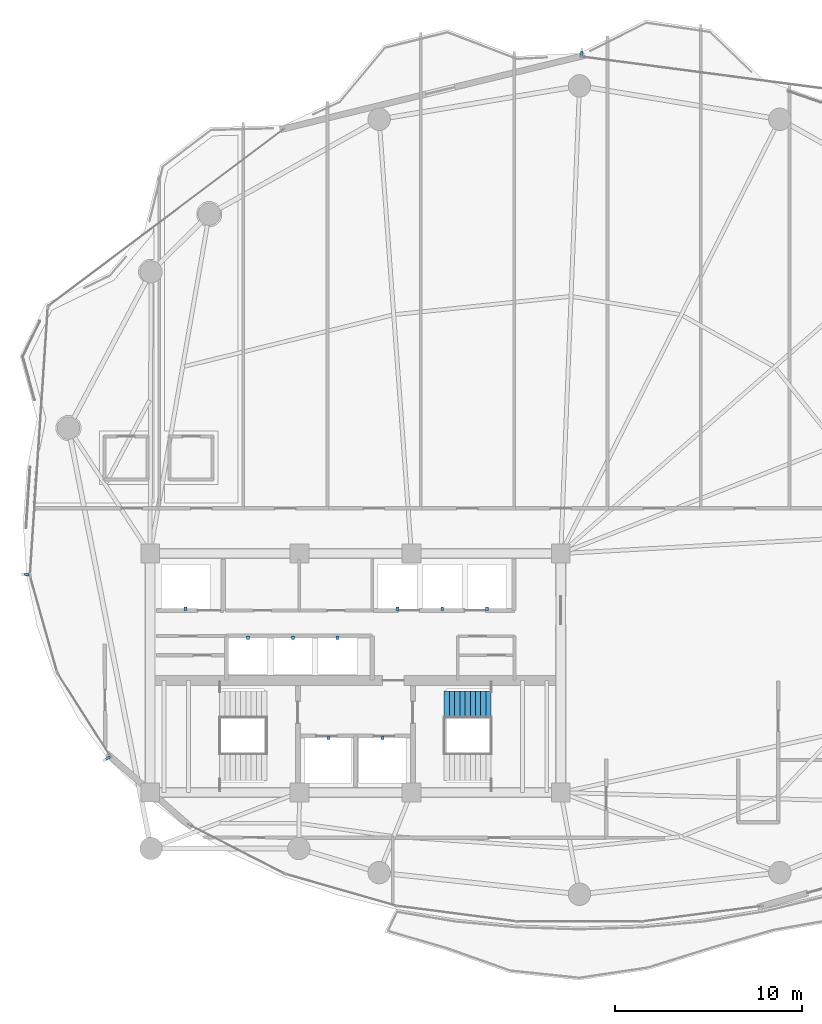
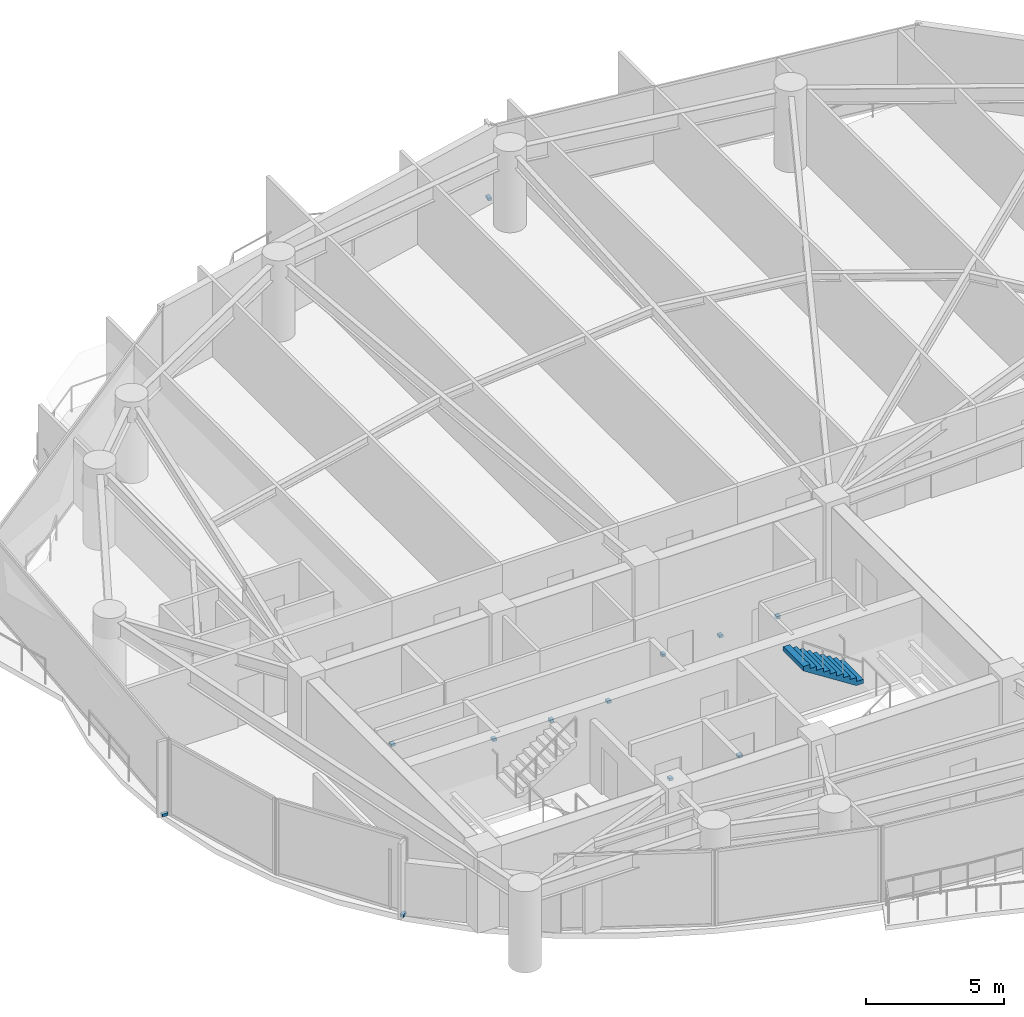
# One storey, part 27 of 30: 12 discrete accessories, 1 stair flight, 1 element without a shape of its own.
"""IFC4 building model written with IfcOpenShell, lengths in metres."""

from ifc_helpers import new_model, si_unit, direction, frame, origin, origin_2d, place, context, subcontext, project, spatial, polyline, rectangle, outline, extrude, material, layer, layer_set, type_object, element, aggregate, save


model = new_model("IFC4")

# Units and contexts
model_context = context("Model", 3, precision=1e-05, world=origin(), true_north=direction((0.0, 1.0)))
body_context = subcontext(model_context, "Body", "Model", "MODEL_VIEW")
ifc_project = project(units=[si_unit("LENGTHUNIT", "METRE"), si_unit("AREAUNIT", "SQUARE_METRE"), si_unit("VOLUMEUNIT", "CUBIC_METRE"), si_unit("PLANEANGLEUNIT", "RADIAN"), si_unit("MASSUNIT", "GRAM", prefix="KILO")], contexts=[model_context])

# Site, building, storey
site_placement = place(None, origin())
site = spatial("IfcSite", under=ifc_project, at=site_placement, CompositionType="ELEMENT")
building_placement = place(site_placement, origin())
building = spatial("IfcBuilding", under=site, at=building_placement, Name="Kazevale Care Tower and Concert Hall", CompositionType="ELEMENT")
storey_placement = place(building_placement, frame((0.0, 0.0, 131.39990234375)))
storey = spatial("IfcBuildingStorey", under=building, at=storey_placement, Name="L34", CompositionType="ELEMENT", Elevation=131.39990234375)

# Stair, stair flight
ifc_material_1 = material(Name="Concrete C40", Category="concrete")
stair_type = type_object("IfcStairType", Name="Exit Stair Assembly ST1-Z2", PredefinedType="HALF_TURN_STAIR", material=ifc_material_1)
stair_placement = place(storey_placement, origin())
stair = element("IfcStair", 1, at=stair_placement, inside=storey, type_object=stair_type, Name="stair:L34:ST2", PredefinedType="HALF_TURN_STAIR")
ifc_layer = layer(ifc_material_1, 0.159912109375)
ifc_layer_set = layer_set([ifc_layer], Name="Concrete C40")
stair_flight_type = type_object("IfcStairFlightType", Name="Exit Stair Flight ST1-Z2", PredefinedType="STRAIGHT", material=ifc_layer_set)
stair_flight_placement = place(storey_placement, frame((40.27001953125, 28.320068359375, 1.800048828125), z_axis=(0.0, 0.0, 1.0), x_axis=(-1.0, 0.0, 0.0)))
stair_flight = element("IfcStairFlight", 2, at=stair_flight_placement, type_object=stair_flight_type, Name="ST1-Z2 flight 2", NumberOfRisers=10, NumberOfTreads=9, PredefinedType="STRAIGHT", RiserHeight=0.18, TreadLength=0.28, context=body_context, shape_type="SweptSolid", body=[
    extrude(outline(polyline([(0.0, 0.0), (0.0, 0.179931640625), (0.280029296875, 0.179931640625), (0.280029296875, 0.360107421875), (0.56005859375, 0.360107421875), (0.56005859375, 0.5400390625), (0.840087890625, 0.5400390625), (0.840087890625, 0.719970703125), (1.1201171875, 0.719970703125), (1.1201171875, 0.89990234375), (1.39990234375, 0.89990234375), (1.39990234375, 1.080078125), (1.679931640625, 1.080078125), (1.679931640625, 1.260009765625), (1.9599609375, 1.260009765625), (1.9599609375, 1.43994140625), (2.239990234375, 1.43994140625), (2.239990234375, 1.6201171875), (2.52001953125, 1.6201171875), (2.52001953125, 1.800048828125), (2.52001953125, 1.429931640625), (0.295654296875, 0.0), (0.0, 0.0)])), frame((0.0, 0.72998046875, 0.0), z_axis=(0.0, -1.0, 0.0), x_axis=(1.0, 0.0, 0.0)), (0.0, 0.0, 1.0), 1.4599609375),
])
aggregate(stair, [stair_flight])

# Discrete accessories
ifc_material_2 = material(Name="Stainless Steel 316", Category="steel")
discrete_accessory_type_1 = type_object("IfcDiscreteAccessoryType", Name="Facade Fin Stainless Anchor Bracket BRK-1", PredefinedType="BRACKET", material=ifc_material_2)
for number, where, z_axis, x_axis, name in (
    (3, (19.739013671875, 25.4443359375, 0.0), (0.0, 0.0, 1.0), (-0.843391445813, -0.537299608347, 0.0), "cw:L34:f11:brk"),
    (4, (15.39892578125, 35.273193359375, 0.0), (0.0, 0.0, 1.0), (-0.997778273548, 0.066622194773, 0.0), "cw:L34:f13:brk"),
    (5, (45.1044921875, 63.1708984375, 0.0), (0.0, 0.0, 1.0), (0.130872263805, 0.991399238736, 0.0), "cw:L34:f16:brk"),
):
    element("IfcDiscreteAccessory", number, at=place(storey_placement, frame(where, z_axis=z_axis, x_axis=x_axis)), inside=storey, type_object=discrete_accessory_type_1, Name=name, PredefinedType="BRACKET", context=body_context, shape_type="SweptSolid", body=[
        extrude(rectangle(XDim=0.239990234375, YDim=0.139892578125, at=origin_2d()), origin(), (0.0, 0.0, 1.0), 0.1201171875),
    ])
discrete_accessory_type_2 = type_object("IfcDiscreteAccessoryType", Name="Hoistway Guide-Rail Wall Bracket HBRK-1", PredefinedType="BRACKET", material=ifc_material_2)
for number, where, z_axis, x_axis, name in (
    (6, (31.550048828125, 26.52001953125, 1.239990234375), (0.0, 0.0, 1.0), (1.0, 0.0, 0.0), "hbrk:FFL-1:L34"),
    (7, (34.449951171875, 26.52001953125, 1.239990234375), (0.0, 0.0, 1.0), (1.0, 0.0, 0.0), "hbrk:FFL-2:L34"),
    (8, (23.89990234375, 33.449951171875, 1.239990234375), (0.0, 0.0, 1.0), (1.0, 0.0, 0.0), "hbrk:SVL-1:L34"),
    (9, (35.25, 33.449951171875, 1.239990234375), (0.0, 0.0, 1.0), (1.0, 0.0, 0.0), "hbrk:PM-1:L34"),
    (10, (37.64990234375, 33.449951171875, 1.239990234375), (0.0, 0.0, 1.0), (1.0, 0.0, 0.0), "hbrk:PM-2:L34"),
    (11, (40.050048828125, 33.449951171875, 1.239990234375), (0.0, 0.0, 1.0), (1.0, 0.0, 0.0), "hbrk:PM-3:L34"),
    (12, (27.25, 31.8798828125, 1.239990234375), (0.0, 0.0, 1.0), (1.0, 0.0, 0.0), "hbrk:PH-1:L34"),
    (13, (29.64990234375, 31.8798828125, 1.239990234375), (0.0, 0.0, 1.0), (1.0, 0.0, 0.0), "hbrk:PH-2:L34"),
    (14, (32.050048828125, 31.8798828125, 1.239990234375), (0.0, 0.0, 1.0), (1.0, 0.0, 0.0), "hbrk:PH-3:L34"),
):
    element("IfcDiscreteAccessory", number, at=place(storey_placement, frame(where, z_axis=z_axis, x_axis=x_axis)), inside=storey, type_object=discrete_accessory_type_2, Name=name, PredefinedType="BRACKET", context=body_context, shape_type="SweptSolid", body=[
        extrude(rectangle(XDim=0.159912109375, YDim=0.179931640625, at=origin_2d()), origin(), (0.0, 0.0, 1.0), 0.1201171875),
    ])

save(model, "model.ifc")
